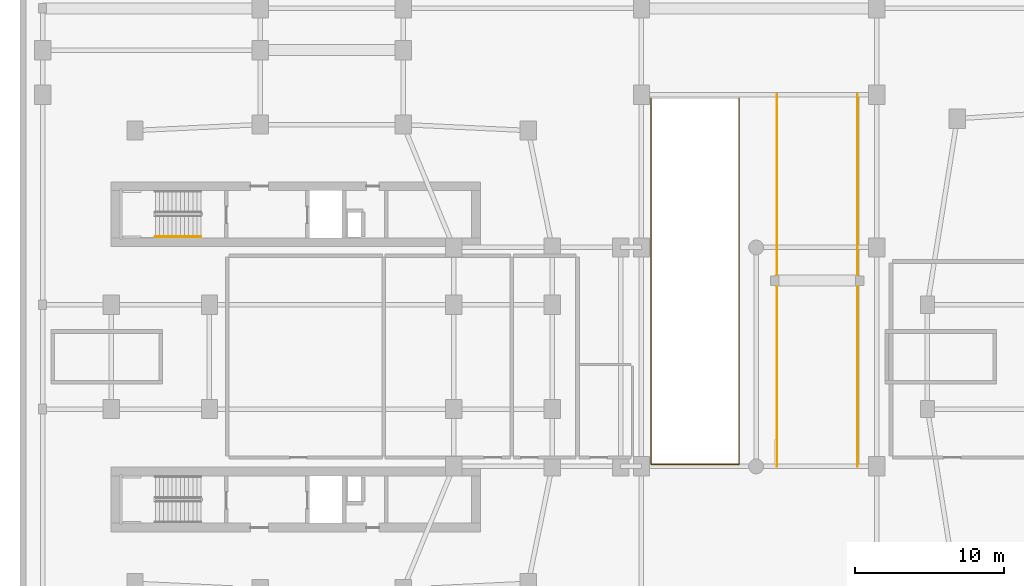
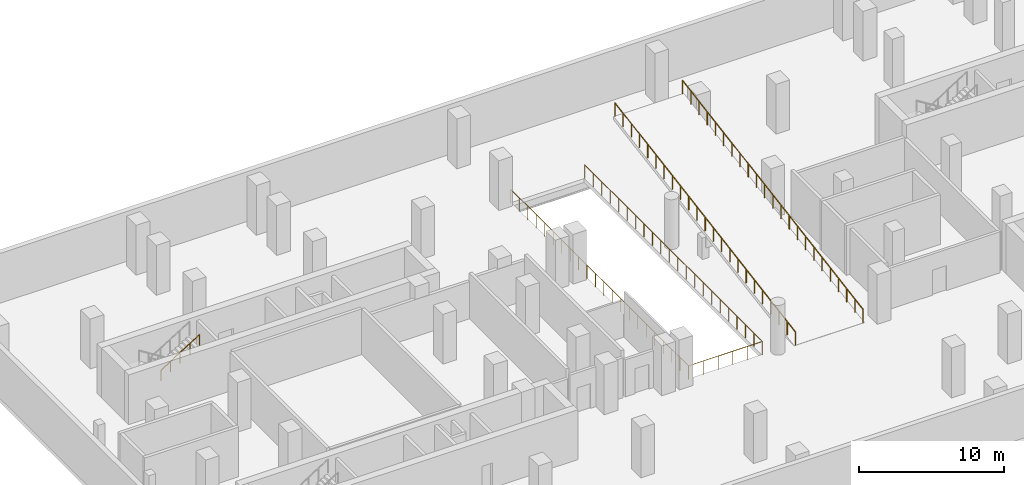
# One storey, part 11 of 13: 4 railings.
"""IFC4 building model written with IfcOpenShell, lengths in metres."""

from ifc_helpers import new_model, si_unit, derived_unit, direction, frame, origin, origin_2d, place, context, subcontext, project, spatial, circle, extrude, material, type_object, element, save


model = new_model("IFC4")

# Units and contexts
model_context = context("Model", 3, precision=1e-05, world=origin(), true_north=direction((0.0, 1.0)))
body_context = subcontext(model_context, "Body", "Model", "MODEL_VIEW")
ifc_project = project(units=[si_unit("LENGTHUNIT", "METRE"), si_unit("AREAUNIT", "SQUARE_METRE"), si_unit("VOLUMEUNIT", "CUBIC_METRE"), si_unit("PLANEANGLEUNIT", "RADIAN"), si_unit("MASSUNIT", "GRAM", prefix="KILO"), derived_unit("THERMALTRANSMITTANCEUNIT", [(si_unit("POWERUNIT", "WATT"), 1), (si_unit("LENGTHUNIT", "METRE"), -2), (si_unit("THERMODYNAMICTEMPERATUREUNIT", "KELVIN"), -1)])], contexts=[model_context])

# Site, building, storey
site_placement = place(None, origin())
site = spatial("IfcSite", under=ifc_project, at=site_placement, CompositionType="ELEMENT")
building_placement = place(site_placement, origin())
building = spatial("IfcBuilding", under=site, at=building_placement, Name="Kivonza Crest Hotel", CompositionType="ELEMENT")
storey_placement = place(building_placement, frame((0.0, 0.0, -4.199951171875)))
storey = spatial("IfcBuildingStorey", under=building, at=storey_placement, Name="B1", CompositionType="ELEMENT", Elevation=-4.199951171875)

# Railings
ifc_material_1 = material(Name="Brushed stainless steel handrail", Category="steel")
railing_type_1 = type_object("IfcRailingType", Name="RL-HAND-900", PredefinedType="HANDRAIL", material=ifc_material_1)
railing_1_placement = place(storey_placement, frame((9.159912109375, 33.070068359375, 2.27490234375)))
element("IfcRailing", 1, at=railing_1_placement, inside=storey, type_object=railing_type_1, Name="B1 ST-T1-N stair handrail 2", PredefinedType="HANDRAIL", context=body_context, shape_type="SweptSolid", body=[
    extrude(circle(Radius=0.02392578125, at=origin_2d()), frame((0.0, 0.0, 0.8759765625), z_axis=(0.847998304005, 0.0, 0.529998940003), x_axis=(0.0, 1.0, 0.0)), (0.0, 0.0, 1.0), 3.632080078125),
    extrude(circle(Radius=0.02099609375, at=origin_2d()), origin(), (0.0, 0.0, 1.0), 0.851806640625),
    extrude(circle(Radius=0.02099609375, at=origin_2d()), frame((0.77001953125, 0.0, 0.481201171875)), (0.0, 0.0, 1.0), 0.851806640625),
    extrude(circle(Radius=0.02099609375, at=origin_2d()), frame((1.5400390625, 0.0, 0.96240234375)), (0.0, 0.0, 1.0), 0.851806640625),
    extrude(circle(Radius=0.02099609375, at=origin_2d()), frame((2.31005859375, 0.0, 1.44384765625)), (0.0, 0.0, 1.0), 0.851806640625),
    extrude(circle(Radius=0.02099609375, at=origin_2d()), frame((3.080078125, 0.0, 1.925048828125)), (0.0, 0.0, 1.0), 0.851806640625),
])
ifc_material_2 = material(Name="Painted steel balustrade", Category="steel")
railing_type_2 = type_object("IfcRailingType", Name="RL-STAIR-1150", PredefinedType="BALUSTRADE", material=ifc_material_2)
railing_2_placement = place(storey_placement, frame((50.89990234375, 17.64990234375, 0.0)))
element("IfcRailing", 2, at=railing_2_placement, inside=storey, type_object=railing_type_2, Name="B1 vehicle ramp edge safety guard", PredefinedType="BALUSTRADE", context=body_context, shape_type="SweptSolid", body=[
    extrude(circle(Radius=0.02392578125, at=origin_2d()), frame((0.0, 0.0, 1.1259765625), z_axis=(0.0, 0.986126096497, 0.165997957239), x_axis=(-1.0, 0.0, 0.0)), (0.0, 0.0, 1.0), 25.30126953125),
    extrude(circle(Radius=0.02099609375, at=origin_2d()), origin(), (0.0, 0.0, 1.0), 1.101806640625),
    extrude(circle(Radius=0.02099609375, at=origin_2d()), frame((0.0, 1.134033203125, 0.19091796875)), (0.0, 0.0, 1.0), 1.101806640625),
    extrude(circle(Radius=0.02099609375, at=origin_2d()), frame((0.0, 2.268310546875, 0.3818359375)), (0.0, 0.0, 1.0), 1.101806640625),
    extrude(circle(Radius=0.02099609375, at=origin_2d()), frame((0.0, 3.40234375, 0.57275390625)), (0.0, 0.0, 1.0), 1.101806640625),
    extrude(circle(Radius=0.02099609375, at=origin_2d()), frame((0.0, 4.536376953125, 0.763671875)), (0.0, 0.0, 1.0), 1.101806640625),
    extrude(circle(Radius=0.02099609375, at=origin_2d()), frame((0.0, 5.67041015625, 0.95458984375)), (0.0, 0.0, 1.0), 1.101806640625),
    extrude(circle(Radius=0.02099609375, at=origin_2d()), frame((0.0, 6.8046875, 1.1455078125)), (0.0, 0.0, 1.0), 1.101806640625),
    extrude(circle(Radius=0.02099609375, at=origin_2d()), frame((0.0, 7.938720703125, 1.33642578125)), (0.0, 0.0, 1.0), 1.101806640625),
    extrude(circle(Radius=0.02099609375, at=origin_2d()), frame((0.0, 9.07275390625, 1.52734375)), (0.0, 0.0, 1.0), 1.101806640625),
    extrude(circle(Radius=0.02099609375, at=origin_2d()), frame((0.0, 10.206787109375, 1.71826171875)), (0.0, 0.0, 1.0), 1.101806640625),
    extrude(circle(Radius=0.02099609375, at=origin_2d()), frame((0.0, 11.341064453125, 1.9091796875)), (0.0, 0.0, 1.0), 1.101806640625),
    extrude(circle(Radius=0.02099609375, at=origin_2d()), frame((0.0, 12.47509765625, 2.10009765625)), (0.0, 0.0, 1.0), 1.101806640625),
    extrude(circle(Radius=0.02099609375, at=origin_2d()), frame((0.0, 13.609130859375, 2.290771484375)), (0.0, 0.0, 1.0), 1.101806640625),
    extrude(circle(Radius=0.02099609375, at=origin_2d()), frame((0.0, 14.743408203125, 2.481689453125)), (0.0, 0.0, 1.0), 1.101806640625),
    extrude(circle(Radius=0.02099609375, at=origin_2d()), frame((0.0, 15.87744140625, 2.672607421875)), (0.0, 0.0, 1.0), 1.101806640625),
    extrude(circle(Radius=0.02099609375, at=origin_2d()), frame((0.0, 17.011474609375, 2.863525390625)), (0.0, 0.0, 1.0), 1.101806640625),
    extrude(circle(Radius=0.02099609375, at=origin_2d()), frame((0.0, 18.1455078125, 3.054443359375)), (0.0, 0.0, 1.0), 1.101806640625),
    extrude(circle(Radius=0.02099609375, at=origin_2d()), frame((0.0, 19.27978515625, 3.245361328125)), (0.0, 0.0, 1.0), 1.101806640625),
    extrude(circle(Radius=0.02099609375, at=origin_2d()), frame((0.0, 20.413818359375, 3.436279296875)), (0.0, 0.0, 1.0), 1.101806640625),
    extrude(circle(Radius=0.02099609375, at=origin_2d()), frame((0.0, 21.5478515625, 3.627197265625)), (0.0, 0.0, 1.0), 1.101806640625),
    extrude(circle(Radius=0.02099609375, at=origin_2d()), frame((0.0, 22.681884765625, 3.818115234375)), (0.0, 0.0, 1.0), 1.101806640625),
    extrude(circle(Radius=0.02099609375, at=origin_2d()), frame((0.0, 23.816162109375, 4.009033203125)), (0.0, 0.0, 1.0), 1.101806640625),
    extrude(circle(Radius=0.02099609375, at=origin_2d()), frame((0.0, 24.9501953125, 4.199951171875)), (0.0, 0.0, 1.0), 1.101806640625),
])
railing_3_placement = place(storey_placement, frame((56.300048828125, 17.64990234375, 0.0)))
element("IfcRailing", 3, at=railing_3_placement, inside=storey, type_object=railing_type_2, Name="B1 vehicle ramp edge safety guard", PredefinedType="BALUSTRADE", context=body_context, shape_type="SweptSolid", body=[
    extrude(circle(Radius=0.02392578125, at=origin_2d()), frame((0.0, 0.0, 1.1259765625), z_axis=(0.0, 0.986126096497, 0.165997957239), x_axis=(-1.0, 0.0, 0.0)), (0.0, 0.0, 1.0), 25.30126953125),
    extrude(circle(Radius=0.02099609375, at=origin_2d()), origin(), (0.0, 0.0, 1.0), 1.101806640625),
    extrude(circle(Radius=0.02099609375, at=origin_2d()), frame((0.0, 1.134033203125, 0.19091796875)), (0.0, 0.0, 1.0), 1.101806640625),
    extrude(circle(Radius=0.02099609375, at=origin_2d()), frame((0.0, 2.268310546875, 0.3818359375)), (0.0, 0.0, 1.0), 1.101806640625),
    extrude(circle(Radius=0.02099609375, at=origin_2d()), frame((0.0, 3.40234375, 0.57275390625)), (0.0, 0.0, 1.0), 1.101806640625),
    extrude(circle(Radius=0.02099609375, at=origin_2d()), frame((0.0, 4.536376953125, 0.763671875)), (0.0, 0.0, 1.0), 1.101806640625),
    extrude(circle(Radius=0.02099609375, at=origin_2d()), frame((0.0, 5.67041015625, 0.95458984375)), (0.0, 0.0, 1.0), 1.101806640625),
    extrude(circle(Radius=0.02099609375, at=origin_2d()), frame((0.0, 6.8046875, 1.1455078125)), (0.0, 0.0, 1.0), 1.101806640625),
    extrude(circle(Radius=0.02099609375, at=origin_2d()), frame((0.0, 7.938720703125, 1.33642578125)), (0.0, 0.0, 1.0), 1.101806640625),
    extrude(circle(Radius=0.02099609375, at=origin_2d()), frame((0.0, 9.07275390625, 1.52734375)), (0.0, 0.0, 1.0), 1.101806640625),
    extrude(circle(Radius=0.02099609375, at=origin_2d()), frame((0.0, 10.206787109375, 1.71826171875)), (0.0, 0.0, 1.0), 1.101806640625),
    extrude(circle(Radius=0.02099609375, at=origin_2d()), frame((0.0, 11.341064453125, 1.9091796875)), (0.0, 0.0, 1.0), 1.101806640625),
    extrude(circle(Radius=0.02099609375, at=origin_2d()), frame((0.0, 12.47509765625, 2.10009765625)), (0.0, 0.0, 1.0), 1.101806640625),
    extrude(circle(Radius=0.02099609375, at=origin_2d()), frame((0.0, 13.609130859375, 2.290771484375)), (0.0, 0.0, 1.0), 1.101806640625),
    extrude(circle(Radius=0.02099609375, at=origin_2d()), frame((0.0, 14.743408203125, 2.481689453125)), (0.0, 0.0, 1.0), 1.101806640625),
    extrude(circle(Radius=0.02099609375, at=origin_2d()), frame((0.0, 15.87744140625, 2.672607421875)), (0.0, 0.0, 1.0), 1.101806640625),
    extrude(circle(Radius=0.02099609375, at=origin_2d()), frame((0.0, 17.011474609375, 2.863525390625)), (0.0, 0.0, 1.0), 1.101806640625),
    extrude(circle(Radius=0.02099609375, at=origin_2d()), frame((0.0, 18.1455078125, 3.054443359375)), (0.0, 0.0, 1.0), 1.101806640625),
    extrude(circle(Radius=0.02099609375, at=origin_2d()), frame((0.0, 19.27978515625, 3.245361328125)), (0.0, 0.0, 1.0), 1.101806640625),
    extrude(circle(Radius=0.02099609375, at=origin_2d()), frame((0.0, 20.413818359375, 3.436279296875)), (0.0, 0.0, 1.0), 1.101806640625),
    extrude(circle(Radius=0.02099609375, at=origin_2d()), frame((0.0, 21.5478515625, 3.627197265625)), (0.0, 0.0, 1.0), 1.101806640625),
    extrude(circle(Radius=0.02099609375, at=origin_2d()), frame((0.0, 22.681884765625, 3.818115234375)), (0.0, 0.0, 1.0), 1.101806640625),
    extrude(circle(Radius=0.02099609375, at=origin_2d()), frame((0.0, 23.816162109375, 4.009033203125)), (0.0, 0.0, 1.0), 1.101806640625),
    extrude(circle(Radius=0.02099609375, at=origin_2d()), frame((0.0, 24.9501953125, 4.199951171875)), (0.0, 0.0, 1.0), 1.101806640625),
])
railing_4_placement = place(storey_placement, frame((42.449951171875, 42.35009765625, 0.0)))
element("IfcRailing", 4, at=railing_4_placement, inside=storey, type_object=railing_type_2, Name="B1 vehicle ramp well perimeter safety guard", PredefinedType="BALUSTRADE", context=body_context, shape_type="SweptSolid", body=[
    extrude(circle(Radius=0.02392578125, at=origin_2d()), frame((0.0, 0.0, 1.1259765625), z_axis=(0.0, -1.0, 0.0), x_axis=(1.0, 0.0, 0.0)), (0.0, 0.0, 1.0), 24.550048828125),
    extrude(circle(Radius=0.02392578125, at=origin_2d()), frame((0.0, -24.550048828125, 1.1259765625), z_axis=(1.0, 0.0, 0.0), x_axis=(0.0, 1.0, 0.0)), (0.0, 0.0, 1.0), 5.900146484375),
    extrude(circle(Radius=0.02392578125, at=origin_2d()), frame((5.900146484375, -24.550048828125, 1.1259765625), z_axis=(0.0, 1.0, 0.0), x_axis=(-1.0, 0.0, 0.0)), (0.0, 0.0, 1.0), 24.550048828125),
    extrude(circle(Radius=0.02099609375, at=origin_2d()), origin(), (0.0, 0.0, 1.0), 1.101806640625),
    extrude(circle(Radius=0.02099609375, at=origin_2d()), frame((0.0, -1.1689453125, 0.0)), (0.0, 0.0, 1.0), 1.101806640625),
    extrude(circle(Radius=0.02099609375, at=origin_2d()), frame((0.0, -2.338134765625, 0.0)), (0.0, 0.0, 1.0), 1.101806640625),
    extrude(circle(Radius=0.02099609375, at=origin_2d()), frame((0.0, -3.507080078125, 0.0)), (0.0, 0.0, 1.0), 1.101806640625),
    extrude(circle(Radius=0.02099609375, at=origin_2d()), frame((0.0, -4.67626953125, 0.0)), (0.0, 0.0, 1.0), 1.101806640625),
    extrude(circle(Radius=0.02099609375, at=origin_2d()), frame((0.0, -5.84521484375, 0.0)), (0.0, 0.0, 1.0), 1.101806640625),
    extrude(circle(Radius=0.02099609375, at=origin_2d()), frame((0.0, -7.014404296875, 0.0)), (0.0, 0.0, 1.0), 1.101806640625),
    extrude(circle(Radius=0.02099609375, at=origin_2d()), frame((0.0, -8.183349609375, 0.0)), (0.0, 0.0, 1.0), 1.101806640625),
    extrude(circle(Radius=0.02099609375, at=origin_2d()), frame((0.0, -9.352294921875, 0.0)), (0.0, 0.0, 1.0), 1.101806640625),
    extrude(circle(Radius=0.02099609375, at=origin_2d()), frame((0.0, -10.521484375, 0.0)), (0.0, 0.0, 1.0), 1.101806640625),
    extrude(circle(Radius=0.02099609375, at=origin_2d()), frame((0.0, -11.6904296875, 0.0)), (0.0, 0.0, 1.0), 1.101806640625),
    extrude(circle(Radius=0.02099609375, at=origin_2d()), frame((0.0, -12.859619140625, 0.0)), (0.0, 0.0, 1.0), 1.101806640625),
    extrude(circle(Radius=0.02099609375, at=origin_2d()), frame((0.0, -14.028564453125, 0.0)), (0.0, 0.0, 1.0), 1.101806640625),
    extrude(circle(Radius=0.02099609375, at=origin_2d()), frame((0.0, -15.19775390625, 0.0)), (0.0, 0.0, 1.0), 1.101806640625),
    extrude(circle(Radius=0.02099609375, at=origin_2d()), frame((0.0, -16.36669921875, 0.0)), (0.0, 0.0, 1.0), 1.101806640625),
    extrude(circle(Radius=0.02099609375, at=origin_2d()), frame((0.0, -17.53564453125, 0.0)), (0.0, 0.0, 1.0), 1.101806640625),
    extrude(circle(Radius=0.02099609375, at=origin_2d()), frame((0.0, -18.704833984375, 0.0)), (0.0, 0.0, 1.0), 1.101806640625),
    extrude(circle(Radius=0.02099609375, at=origin_2d()), frame((0.0, -19.873779296875, 0.0)), (0.0, 0.0, 1.0), 1.101806640625),
    extrude(circle(Radius=0.02099609375, at=origin_2d()), frame((0.0, -21.04296875, 0.0)), (0.0, 0.0, 1.0), 1.101806640625),
    extrude(circle(Radius=0.02099609375, at=origin_2d()), frame((0.0, -22.2119140625, 0.0)), (0.0, 0.0, 1.0), 1.101806640625),
    extrude(circle(Radius=0.02099609375, at=origin_2d()), frame((0.0, -23.381103515625, 0.0)), (0.0, 0.0, 1.0), 1.101806640625),
    extrude(circle(Radius=0.02099609375, at=origin_2d()), frame((0.0, -24.550048828125, 0.0)), (0.0, 0.0, 1.0), 1.101806640625),
    extrude(circle(Radius=0.02099609375, at=origin_2d()), frame((1.179931640625, -24.550048828125, 0.0)), (0.0, 0.0, 1.0), 1.101806640625),
    extrude(circle(Radius=0.02099609375, at=origin_2d()), frame((2.360107421875, -24.550048828125, 0.0)), (0.0, 0.0, 1.0), 1.101806640625),
    extrude(circle(Radius=0.02099609375, at=origin_2d()), frame((3.5400390625, -24.550048828125, 0.0)), (0.0, 0.0, 1.0), 1.101806640625),
    extrude(circle(Radius=0.02099609375, at=origin_2d()), frame((4.72021484375, -24.550048828125, 0.0)), (0.0, 0.0, 1.0), 1.101806640625),
    extrude(circle(Radius=0.02099609375, at=origin_2d()), frame((5.900146484375, -24.550048828125, 0.0)), (0.0, 0.0, 1.0), 1.101806640625),
    extrude(circle(Radius=0.02099609375, at=origin_2d()), frame((5.900146484375, -23.381103515625, 0.0)), (0.0, 0.0, 1.0), 1.101806640625),
    extrude(circle(Radius=0.02099609375, at=origin_2d()), frame((5.900146484375, -22.2119140625, 0.0)), (0.0, 0.0, 1.0), 1.101806640625),
    extrude(circle(Radius=0.02099609375, at=origin_2d()), frame((5.900146484375, -21.04296875, 0.0)), (0.0, 0.0, 1.0), 1.101806640625),
    extrude(circle(Radius=0.02099609375, at=origin_2d()), frame((5.900146484375, -19.873779296875, 0.0)), (0.0, 0.0, 1.0), 1.101806640625),
    extrude(circle(Radius=0.02099609375, at=origin_2d()), frame((5.900146484375, -18.704833984375, 0.0)), (0.0, 0.0, 1.0), 1.101806640625),
    extrude(circle(Radius=0.02099609375, at=origin_2d()), frame((5.900146484375, -17.53564453125, 0.0)), (0.0, 0.0, 1.0), 1.101806640625),
    extrude(circle(Radius=0.02099609375, at=origin_2d()), frame((5.900146484375, -16.36669921875, 0.0)), (0.0, 0.0, 1.0), 1.101806640625),
    extrude(circle(Radius=0.02099609375, at=origin_2d()), frame((5.900146484375, -15.19775390625, 0.0)), (0.0, 0.0, 1.0), 1.101806640625),
    extrude(circle(Radius=0.02099609375, at=origin_2d()), frame((5.900146484375, -14.028564453125, 0.0)), (0.0, 0.0, 1.0), 1.101806640625),
    extrude(circle(Radius=0.02099609375, at=origin_2d()), frame((5.900146484375, -12.859619140625, 0.0)), (0.0, 0.0, 1.0), 1.101806640625),
    extrude(circle(Radius=0.02099609375, at=origin_2d()), frame((5.900146484375, -11.6904296875, 0.0)), (0.0, 0.0, 1.0), 1.101806640625),
    extrude(circle(Radius=0.02099609375, at=origin_2d()), frame((5.900146484375, -10.521484375, 0.0)), (0.0, 0.0, 1.0), 1.101806640625),
    extrude(circle(Radius=0.02099609375, at=origin_2d()), frame((5.900146484375, -9.352294921875, 0.0)), (0.0, 0.0, 1.0), 1.101806640625),
    extrude(circle(Radius=0.02099609375, at=origin_2d()), frame((5.900146484375, -8.183349609375, 0.0)), (0.0, 0.0, 1.0), 1.101806640625),
    extrude(circle(Radius=0.02099609375, at=origin_2d()), frame((5.900146484375, -7.014404296875, 0.0)), (0.0, 0.0, 1.0), 1.101806640625),
    extrude(circle(Radius=0.02099609375, at=origin_2d()), frame((5.900146484375, -5.84521484375, 0.0)), (0.0, 0.0, 1.0), 1.101806640625),
    extrude(circle(Radius=0.02099609375, at=origin_2d()), frame((5.900146484375, -4.67626953125, 0.0)), (0.0, 0.0, 1.0), 1.101806640625),
    extrude(circle(Radius=0.02099609375, at=origin_2d()), frame((5.900146484375, -3.507080078125, 0.0)), (0.0, 0.0, 1.0), 1.101806640625),
    extrude(circle(Radius=0.02099609375, at=origin_2d()), frame((5.900146484375, -2.338134765625, 0.0)), (0.0, 0.0, 1.0), 1.101806640625),
    extrude(circle(Radius=0.02099609375, at=origin_2d()), frame((5.900146484375, -1.1689453125, 0.0)), (0.0, 0.0, 1.0), 1.101806640625),
    extrude(circle(Radius=0.02099609375, at=origin_2d()), frame((5.900146484375, 0.0, 0.0)), (0.0, 0.0, 1.0), 1.101806640625),
])

save(model, "model.ifc")
